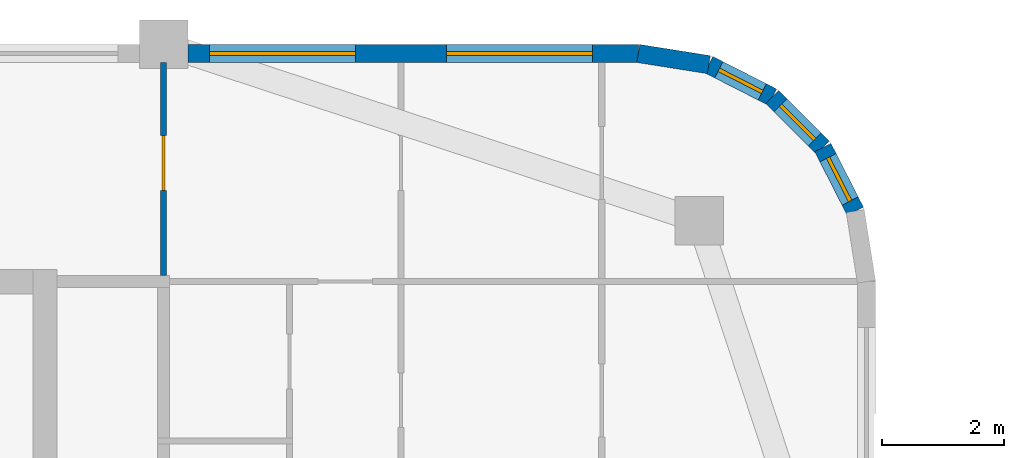
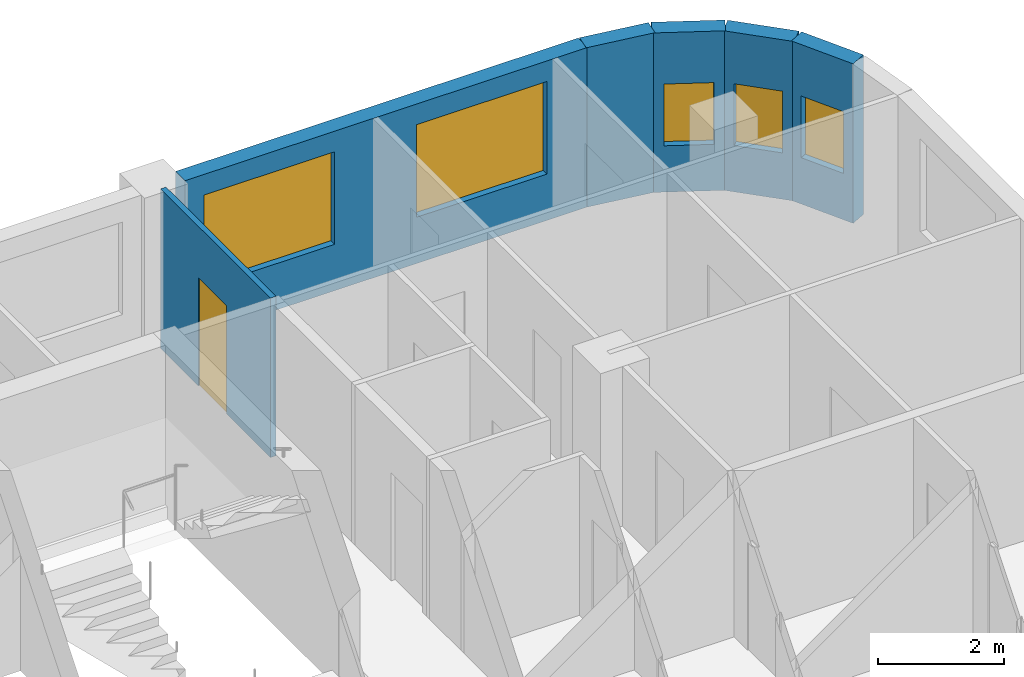
# One storey, part 12 of 16: 6 walls, 5 windows, 1 door, 6 openings.
"""IFC4 building model written with IfcOpenShell, lengths in metres."""

import ifcopenshell
import ifcopenshell.guid

model = None  # the IFC model being written
_history = None  # IfcOwnerHistory: only IFC2X3 demands one
_inside = {}  # id of a spatial element -> (the spatial element, [elements in it])
_under = {}  # id of a project, library or spatial element -> (it, [spatial elements below it])
_declared = {}  # id of a project -> (the project, [libraries it declares])
_typed = {}  # id of a type object -> (the type object, [elements of that type])
_made_of = {}  # id of a material, layer set ... -> (it, [elements and type objects made of it])


def new_model(schema):
    """Start an empty IFC model of exactly this schema.

    Asked for "IFC4X3", IfcOpenShell would pick the latest addendum, in which some entities
    have other attributes; the version numbers below select the first issue.
    IFC2X3 requires an IfcOwnerHistory on every rooted entity: one is made here for all.
    """
    global model, _history
    if schema == "IFC4X3":
        model = ifcopenshell.file(schema_version=(4, 3, 0, 0))
    else:
        model = ifcopenshell.file(schema=schema)
    _inside.clear()
    _under.clear()
    _declared.clear()
    _typed.clear()
    _made_of.clear()
    _history = None
    if model.schema == "IFC2X3":
        org = make("IfcOrganization", Name="unknown")
        user = make(
            "IfcPersonAndOrganization",
            ThePerson=make("IfcPerson", FamilyName="unknown"),
            TheOrganization=org,
        )
        app = make(
            "IfcApplication",
            ApplicationDeveloper=org,
            Version="unknown",
            ApplicationFullName="unknown",
            ApplicationIdentifier="unknown",
        )
        _history = make(
            "IfcOwnerHistory",
            OwningUser=user,
            OwningApplication=app,
            ChangeAction="ADDED",
            CreationDate=0,
        )
    return model


def make(cls, **values):
    """One entity of the class cls with the attributes given. An attribute that is None is left unset."""
    return model.create_entity(
        cls, **{name: value for name, value in values.items() if value is not None}
    )


def rooted(cls, **values):
    """An entity with a GlobalId (a new one), such as an element, a storey or a relation."""
    return make(cls, GlobalId=ifcopenshell.guid.new(), OwnerHistory=_history, **values)


def si_unit(unit_type, name, prefix=None):
    """IfcSIUnit, for example si_unit("LENGTHUNIT", "METRE", prefix="MILLI")."""
    return make("IfcSIUnit", UnitType=unit_type, Prefix=prefix, Name=name)


def assignment(units):
    """IfcUnitAssignment: the units of a project."""
    return None if units is None else make("IfcUnitAssignment", Units=units)


def point(xyz):
    """IfcCartesianPoint."""
    return None if xyz is None else make("IfcCartesianPoint", Coordinates=xyz)


def direction(xyz):
    """IfcDirection."""
    return None if xyz is None else make("IfcDirection", DirectionRatios=xyz)


def frame(location, z_axis=None, x_axis=None):
    """IfcAxis2Placement3D, a coordinate frame: its origin and axes. An axis left out is left unset."""
    return make(
        "IfcAxis2Placement3D",
        Location=point(location),
        Axis=direction(z_axis),
        RefDirection=direction(x_axis),
    )


def frame_2d(location, x_axis=None):
    """IfcAxis2Placement2D, a coordinate frame in the plane: its origin and x axis."""
    return make(
        "IfcAxis2Placement2D", Location=point(location), RefDirection=direction(x_axis)
    )


def origin():
    """The frame at (0, 0, 0) with its axes left unset."""
    return frame((0.0, 0.0, 0.0))


def place(relative_to, where):
    """IfcLocalPlacement: puts the frame where relative to a parent placement (None: the world)."""
    return make(
        "IfcLocalPlacement", PlacementRelTo=relative_to, RelativePlacement=where
    )


def context(
    kind, dimensions, precision=None, world=None, true_north=None, identifier=None
):
    """IfcGeometricRepresentationContext, for example the 3D "Model" context."""
    return make(
        "IfcGeometricRepresentationContext",
        ContextIdentifier=identifier,
        ContextType=kind,
        CoordinateSpaceDimension=dimensions,
        Precision=precision,
        WorldCoordinateSystem=world,
        TrueNorth=true_north,
    )


def subcontext(parent, identifier, kind, view, scale=None):
    """IfcGeometricRepresentationSubContext, for example "Body" below "Model"."""
    return make(
        "IfcGeometricRepresentationSubContext",
        ContextIdentifier=identifier,
        ContextType=kind,
        ParentContext=parent,
        TargetScale=scale,
        TargetView=view,
    )


def project(units=None, contexts=None):
    """IfcProject with its units and contexts."""
    return rooted(
        "IfcProject",
        Name="project",
        RepresentationContexts=contexts,
        UnitsInContext=assignment(units),
    )


def spatial(cls, under=None, at=None, **own):
    """A site, building, storey or space (cls), placed at a placement, below another one or the project."""
    s = rooted(cls, ObjectPlacement=at, **own)
    if under is not None:
        _under.setdefault(under.id(), (under, []))[1].append(s)
    return s


def profile(cls, at=None, kind="AREA", **sizes):
    """A parametric profile (cls). Its sizes go by their IFC names, for example OverallWidth=200.0."""
    return make(cls, ProfileType=kind, Position=at, **sizes)


def rectangle(**sizes):
    """IfcRectangleProfileDef."""
    return profile("IfcRectangleProfileDef", **sizes)


def extrude(swept, where, along, depth):
    """IfcExtrudedAreaSolid: the profile swept, set in the frame where, extruded along a direction by depth."""
    return make(
        "IfcExtrudedAreaSolid",
        SweptArea=swept,
        Position=where,
        ExtrudedDirection=direction(along),
        Depth=depth,
    )


def shape(context_of_items, identifier, shape_type, items):
    """IfcShapeRepresentation: the items that make up one representation, for example the "Body"."""
    return make(
        "IfcShapeRepresentation",
        ContextOfItems=context_of_items,
        RepresentationIdentifier=identifier,
        RepresentationType=shape_type,
        Items=items,
    )


def material(Name=None, Category=None):
    """IfcMaterial."""
    return make("IfcMaterial", Name=Name, Category=Category)


def layer(
    of_material, thickness, ventilated=None, Name=None, Category=None, Priority=None
):
    """IfcMaterialLayer: one layer of a wall or slab, of a material (None: an air gap)."""
    return make(
        "IfcMaterialLayer",
        Material=of_material,
        LayerThickness=thickness,
        IsVentilated=ventilated,
        Name=Name,
        Category=Category,
        Priority=Priority,
    )


def layer_set(layers, Name=None):
    """IfcMaterialLayerSet."""
    return make("IfcMaterialLayerSet", MaterialLayers=layers, LayerSetName=Name)


def made_of(thing, what):
    """Note that an element or type object is made of a material, layer set ...; save() writes the relation."""
    if what is not None:
        _made_of.setdefault(what.id(), (what, []))[1].append(thing)
    return thing


def type_object(cls, material=None, **own):
    """A type object (cls), such as IfcWallType, which elements share."""
    return made_of(rooted(cls, **own), material)


def element(
    cls,
    number,
    at=None,
    inside=None,
    cuts=None,
    type_object=None,
    material=None,
    context=None,
    identifier="Body",
    shape_type=None,
    held_by="IfcProductDefinitionShape",
    body=None,
    shapes=None,
    **own,
):
    """One element of the class cls, such as IfcWall. Its Tag is "e" and its number.

    at: its placement. inside: the storey or other place that contains it. cuts: it is an
    opening in that element (IfcRelVoidsElement). A single representation is given by context,
    identifier, shape_type and body (its items); several are given by shapes. held_by: the class
    of the entity that holds the representations. save() writes the other relations.
    """
    e = rooted(cls, Tag="e%d" % number, ObjectPlacement=at, **own)
    if body is not None:
        shapes = [shape(context, identifier, shape_type, body)]
    if shapes is not None:
        e.Representation = make(held_by, Representations=shapes)
    if inside is not None:
        _inside.setdefault(inside.id(), (inside, []))[1].append(e)
    if cuts is not None:
        rooted(
            "IfcRelVoidsElement", RelatingBuildingElement=cuts, RelatedOpeningElement=e
        )
    if type_object is not None:
        _typed.setdefault(type_object.id(), (type_object, []))[1].append(e)
    return made_of(e, material)


def fill(opening, filler):
    """IfcRelFillsElement: the door or window that sits in an opening."""
    return rooted(
        "IfcRelFillsElement",
        RelatingOpeningElement=opening,
        RelatedBuildingElement=filler,
    )


def aggregate(whole, parts):
    """IfcRelAggregates: a whole, such as a stair, and the parts it consists of."""
    return rooted("IfcRelAggregates", RelatingObject=whole, RelatedObjects=parts)


def save(model, path):
    """Write the relations noted so far, then the file.

    IfcRelAggregates (storeys below a building ...), IfcRelContainedInSpatialStructure (elements
    in a storey), IfcRelDefinesByType, IfcRelAssociatesMaterial and IfcRelDeclares: one each for
    every whole, place, type object, material and project.
    """
    for whole, parts in _under.values():
        aggregate(whole, parts)
    for where, things in _inside.values():
        rooted(
            "IfcRelContainedInSpatialStructure",
            RelatedElements=things,
            RelatingStructure=where,
        )
    for kind, things in _typed.values():
        rooted("IfcRelDefinesByType", RelatedObjects=things, RelatingType=kind)
    for what, things in _made_of.values():
        rooted("IfcRelAssociatesMaterial", RelatedObjects=things, RelatingMaterial=what)
    for by, libraries in _declared.values():
        rooted("IfcRelDeclares", RelatingContext=by, RelatedDefinitions=libraries)
    model.write(path)


model = new_model("IFC4")

# Units and contexts
model_context = context("Model", 3, precision=1e-05, world=origin(), true_north=direction((0.0, 1.0)))
body_context = subcontext(model_context, "Body", "Model", "MODEL_VIEW")
ifc_project = project(units=[si_unit("LENGTHUNIT", "METRE"), si_unit("AREAUNIT", "SQUARE_METRE"), si_unit("VOLUMEUNIT", "CUBIC_METRE"), si_unit("PLANEANGLEUNIT", "RADIAN"), si_unit("MASSUNIT", "GRAM", prefix="KILO")], contexts=[model_context])

# Site, building, storey
site_placement = place(None, origin())
site = spatial("IfcSite", under=ifc_project, at=site_placement, CompositionType="ELEMENT")
building_placement = place(site_placement, origin())
building = spatial("IfcBuilding", under=site, at=building_placement, Name="Ludao Terraces", CompositionType="ELEMENT")
storey_placement = place(building_placement, frame((0.0, 0.0, 238.10009765625)))
storey = spatial("IfcBuildingStorey", under=building, at=storey_placement, Name="L65", CompositionType="ELEMENT", Elevation=238.10009765625)

# Wall, openings, windows
ifc_material_1 = material(Name="Granite cladding", Category="masonry")
ifc_layer_1 = layer(ifc_material_1, 0.0400390625, Category="stone")
ifc_material_2 = material(Name="Mineral wool")
ifc_layer_2 = layer(ifc_material_2, 0.06005859375)
ifc_material_3 = material(Name="Concrete C40", Category="concrete")
ifc_layer_3 = layer(ifc_material_3, 0.199951171875, Category="concrete")
ifc_layer_set_1 = layer_set([ifc_layer_1, ifc_layer_2, ifc_layer_3], Name="ENV Stone-clad wall 300")
wall_type_1 = type_object("IfcWallType", Name="ENV Stone-clad wall 300", PredefinedType="SOLIDWALL", material=ifc_layer_set_1)
wall_1_placement = place(storey_placement, frame((97.10009765625, 88.25, 0.0), z_axis=(0.0, 0.0, 1.0), x_axis=(1.0, 0.0, 0.0)))
wall_1 = element("IfcWall", 1, at=wall_1_placement, inside=storey, type_object=wall_type_1, Name="EW-L65-N3", PredefinedType="SOLIDWALL", context=body_context, shape_type="SweptSolid", body=[
    extrude(rectangle(XDim=7.39990234375, YDim=0.300048828125, at=frame_2d((3.699951171875, 0.0))), origin(), (0.0, 0.0, 1.0), 3.099853515625),
])
opening_1_placement = place(wall_1_placement, frame((0.35009765625, 0.0, 0.89990234375)))
opening_1 = element("IfcOpeningElement", 2, at=opening_1_placement, cuts=wall_1, Name="Opening W1", PredefinedType="OPENING", context=body_context, shape_type="SweptSolid", body=[
    extrude(rectangle(XDim=2.39990234375, YDim=1.800048828125, at=frame_2d((1.199951171875, 0.89990234375))), frame((0.0, 0.16015625, 0.0), z_axis=(0.0, -1.0, 0.0), x_axis=(1.0, 0.0, 0.0)), (0.0, 0.0, 1.0), 0.320068359375),
])
opening_2_placement = place(wall_1_placement, frame((4.25, 0.0, 0.89990234375)))
opening_2 = element("IfcOpeningElement", 3, at=opening_2_placement, cuts=wall_1, Name="Opening W1", PredefinedType="OPENING", context=body_context, shape_type="SweptSolid", body=[
    extrude(rectangle(XDim=2.39990234375, YDim=1.800048828125, at=frame_2d((1.199951171875, 0.89990234375))), frame((0.0, 0.16015625, 0.0), z_axis=(0.0, -1.0, 0.0), x_axis=(1.0, 0.0, 0.0)), (0.0, 0.0, 1.0), 0.320068359375),
])
ifc_material_4 = material(Name="Clear glass in aluminium frame", Category="aluminium")
ifc_layer_4 = layer(ifc_material_4, 0.06005859375)
ifc_layer_set_2 = layer_set([ifc_layer_4], Name="ENV Window W1 2400x1800")
window_type_1 = type_object("IfcWindowType", Name="ENV Window W1 2400x1800", PartitioningType="DOUBLE_PANEL_VERTICAL", PredefinedType="WINDOW", material=ifc_layer_set_2)
window_1_placement = place(opening_1_placement, origin())
window_1 = element("IfcWindow", 4, at=window_1_placement, inside=storey, type_object=window_type_1, Name="W-L65-N3-1", OverallHeight=1.800048828125, OverallWidth=2.39990234375, PartitioningType="DOUBLE_PANEL_VERTICAL", PredefinedType="WINDOW", context=body_context, shape_type="SweptSolid", body=[
    extrude(rectangle(XDim=2.39990234375, YDim=1.800048828125, at=frame_2d((1.199951171875, 0.89990234375))), frame((0.0, 0.030029296875, 0.0), z_axis=(0.0, -1.0, 0.0), x_axis=(1.0, 0.0, 0.0)), (0.0, 0.0, 1.0), 0.06005859375),
])
fill(opening_1, window_1)
window_2_placement = place(opening_2_placement, origin())
window_2 = element("IfcWindow", 5, at=window_2_placement, inside=storey, type_object=window_type_1, Name="W-L65-N3-2", OverallHeight=1.800048828125, OverallWidth=2.39990234375, PartitioningType="DOUBLE_PANEL_VERTICAL", PredefinedType="WINDOW", context=body_context, shape_type="SweptSolid", body=[
    extrude(rectangle(XDim=2.39990234375, YDim=1.800048828125, at=frame_2d((1.199951171875, 0.89990234375))), frame((0.0, 0.030029296875, 0.0), z_axis=(0.0, -1.0, 0.0), x_axis=(1.0, 0.0, 0.0)), (0.0, 0.0, 1.0), 0.06005859375),
])
fill(opening_2, window_2)

# Wall, opening, window
wall_2_placement = place(storey_placement, frame((108.06640625, 85.65869140625, 0.0), z_axis=(0.0, 0.0, 1.0), x_axis=(-0.454025524128, 0.890988677504, 0.0)))
wall_2 = element("IfcWall", 6, at=wall_2_placement, inside=storey, type_object=wall_type_1, Name="EW-L65-NE2", PredefinedType="SOLIDWALL", context=body_context, shape_type="SweptSolid", body=[
    extrude(rectangle(XDim=1.17333984375, YDim=0.300048828125, at=frame_2d((0.586669921875, 0.0))), origin(), (0.0, 0.0, 1.0), 3.099853515625),
])
opening_3_placement = place(wall_2_placement, frame((0.1865234375, 0.0, 0.89990234375)))
opening_3 = element("IfcOpeningElement", 7, at=opening_3_placement, cuts=wall_2, Name="Opening W3", PredefinedType="OPENING", context=body_context, shape_type="SweptSolid", body=[
    extrude(rectangle(XDim=0.800048828125, YDim=1.199951171875, at=frame_2d((0.39990234375, 0.60009765625))), frame((0.0, 0.16015625, 0.0), z_axis=(0.0, -1.0, 0.0), x_axis=(1.0, 0.0, 0.0)), (0.0, 0.0, 1.0), 0.320068359375),
])
ifc_layer_5 = layer(ifc_material_4, 0.06005859375)
ifc_layer_set_3 = layer_set([ifc_layer_5], Name="ENV Window W3 800x1200")
window_type_2 = type_object("IfcWindowType", Name="ENV Window W3 800x1200", PartitioningType="SINGLE_PANEL", PredefinedType="WINDOW", material=ifc_layer_set_3)
window_3_placement = place(opening_3_placement, origin())
window_3 = element("IfcWindow", 8, at=window_3_placement, inside=storey, type_object=window_type_2, Name="W-L65-NE2", OverallHeight=1.199951171875, OverallWidth=0.800048828125, PartitioningType="SINGLE_PANEL", PredefinedType="WINDOW", context=body_context, shape_type="SweptSolid", body=[
    extrude(rectangle(XDim=0.800048828125, YDim=1.199951171875, at=frame_2d((0.39990234375, 0.60009765625))), frame((0.0, 0.030029296875, 0.0), z_axis=(0.0, -1.0, 0.0), x_axis=(1.0, 0.0, 0.0)), (0.0, 0.0, 1.0), 0.06005859375),
])
fill(opening_3, window_3)

wall_3_placement = place(storey_placement, frame((107.53369140625, 86.7041015625, 0.0), z_axis=(0.0, 0.0, 1.0), x_axis=(-0.707106781187, 0.707106781187, 0.0)))
wall_3 = element("IfcWall", 9, at=wall_3_placement, inside=storey, type_object=wall_type_1, Name="EW-L65-NE3", PredefinedType="SOLIDWALL", context=body_context, shape_type="SweptSolid", body=[
    extrude(rectangle(XDim=1.173095703125, YDim=0.300048828125, at=frame_2d((0.58642578125, 0.0))), origin(), (0.0, 0.0, 1.0), 3.099853515625),
])
opening_4_placement = place(wall_3_placement, frame((0.1865234375, 0.0, 0.89990234375)))
opening_4 = element("IfcOpeningElement", 10, at=opening_4_placement, cuts=wall_3, Name="Opening W3", PredefinedType="OPENING", context=body_context, shape_type="SweptSolid", body=[
    extrude(rectangle(XDim=0.800048828125, YDim=1.199951171875, at=frame_2d((0.39990234375, 0.60009765625))), frame((0.0, 0.16015625, 0.0), z_axis=(0.0, -1.0, 0.0), x_axis=(1.0, 0.0, 0.0)), (0.0, 0.0, 1.0), 0.320068359375),
])
window_4_placement = place(opening_4_placement, origin())
window_4 = element("IfcWindow", 11, at=window_4_placement, inside=storey, type_object=window_type_2, Name="W-L65-NE3", OverallHeight=1.199951171875, OverallWidth=0.800048828125, PartitioningType="SINGLE_PANEL", PredefinedType="WINDOW", context=body_context, shape_type="SweptSolid", body=[
    extrude(rectangle(XDim=0.800048828125, YDim=1.199951171875, at=frame_2d((0.39990234375, 0.60009765625))), frame((0.0, 0.030029296875, 0.0), z_axis=(0.0, -1.0, 0.0), x_axis=(1.0, 0.0, 0.0)), (0.0, 0.0, 1.0), 0.06005859375),
])
fill(opening_4, window_4)

wall_4_placement = place(storey_placement, frame((106.7041015625, 87.53369140625, 0.0), z_axis=(0.0, 0.0, 1.0), x_axis=(-0.890988677504, 0.454025524128, 0.0)))
wall_4 = element("IfcWall", 12, at=wall_4_placement, inside=storey, type_object=wall_type_1, Name="EW-L65-NE4", PredefinedType="SOLIDWALL", context=body_context, shape_type="SweptSolid", body=[
    extrude(rectangle(XDim=1.17333984375, YDim=0.300048828125, at=frame_2d((0.586669921875, 0.0))), origin(), (0.0, 0.0, 1.0), 3.099853515625),
])
opening_5_placement = place(wall_4_placement, frame((0.1865234375, 0.0, 0.89990234375)))
opening_5 = element("IfcOpeningElement", 13, at=opening_5_placement, cuts=wall_4, Name="Opening W3", PredefinedType="OPENING", context=body_context, shape_type="SweptSolid", body=[
    extrude(rectangle(XDim=0.800048828125, YDim=1.199951171875, at=frame_2d((0.39990234375, 0.60009765625))), frame((0.0, 0.16015625, 0.0), z_axis=(0.0, -1.0, 0.0), x_axis=(1.0, 0.0, 0.0)), (0.0, 0.0, 1.0), 0.320068359375),
])
window_5_placement = place(opening_5_placement, origin())
window_5 = element("IfcWindow", 14, at=window_5_placement, inside=storey, type_object=window_type_2, Name="W-L65-NE4", OverallHeight=1.199951171875, OverallWidth=0.800048828125, PartitioningType="SINGLE_PANEL", PredefinedType="WINDOW", context=body_context, shape_type="SweptSolid", body=[
    extrude(rectangle(XDim=0.800048828125, YDim=1.199951171875, at=frame_2d((0.39990234375, 0.60009765625))), frame((0.0, 0.030029296875, 0.0), z_axis=(0.0, -1.0, 0.0), x_axis=(1.0, 0.0, 0.0)), (0.0, 0.0, 1.0), 0.06005859375),
])
fill(opening_5, window_5)

# Wall
wall_5_placement = place(storey_placement, frame((105.65869140625, 88.06640625, 0.0), z_axis=(0.0, 0.0, 1.0), x_axis=(-0.987678452879, 0.156496880861, 0.0)))
element("IfcWall", 15, at=wall_5_placement, inside=storey, type_object=wall_type_1, Name="EW-L65-NE5", PredefinedType="SOLIDWALL", context=body_context, shape_type="SweptSolid", body=[
    extrude(rectangle(XDim=1.173095703125, YDim=0.300048828125, at=frame_2d((0.58642578125, 0.0))), origin(), (0.0, 0.0, 1.0), 3.099853515625),
])

# Wall, opening, door
ifc_material_5 = material(Name="Gypsum plasterboard", Category="gypsum")
ifc_layer_6 = layer(ifc_material_5, 0.012451171875, Category="gypsum")
ifc_layer_7 = layer(ifc_material_2, 0.06005859375, Name="insulation")
ifc_material_6 = material(Name="Steel Q235", Category="steel")
ifc_layer_8 = layer(ifc_material_6, 0.014892578125, Name="stud")
ifc_layer_9 = layer(ifc_material_5, 0.012451171875, Category="gypsum")
ifc_layer_set_4 = layer_set([ifc_layer_6, ifc_layer_7, ifc_layer_8, ifc_layer_9], Name="INT Partition 100")
wall_type_2 = type_object("IfcWallType", Name="INT Partition 100", PredefinedType="PARTITIONING", material=ifc_layer_set_4)
wall_6_placement = place(storey_placement, frame((96.699951171875, 84.60009765625, 0.0), z_axis=(0.0, 0.0, 1.0), x_axis=(0.0, 1.0, 0.0)))
wall_6 = element("IfcWall", 16, at=wall_6_placement, inside=storey, type_object=wall_type_2, Name="PW-L65-PW094", PredefinedType="PARTITIONING", context=body_context, shape_type="SweptSolid", body=[
    extrude(rectangle(XDim=3.5, YDim=0.10009765625, at=frame_2d((1.75, 0.0))), origin(), (0.0, 0.0, 1.0), 3.099853515625),
])
opening_6_placement = place(wall_6_placement, frame((1.39990234375, 0.0, 0.0)))
opening_6 = element("IfcOpeningElement", 17, at=opening_6_placement, cuts=wall_6, Name="Opening R23-142", PredefinedType="OPENING", context=body_context, shape_type="SweptSolid", body=[
    extrude(rectangle(XDim=0.89990234375, YDim=2.10009765625, at=frame_2d((0.449951171875, 1.050048828125))), frame((0.0, 0.06005859375, 0.0), z_axis=(0.0, -1.0, 0.0), x_axis=(1.0, 0.0, 0.0)), (0.0, 0.0, 1.0), 0.1201171875),
])
ifc_material_7 = material(Name="Timber door leaf", Category="wood")
door_type = type_object("IfcDoorType", Name="INT Room door 900", OperationType="SINGLE_SWING_LEFT", PredefinedType="DOOR", material=ifc_material_7)
door_placement = place(opening_6_placement, origin())
door = element("IfcDoor", 18, at=door_placement, inside=storey, type_object=door_type, Name="DOOR 142", OperationType="SINGLE_SWING_RIGHT", OverallHeight=2.10009765625, OverallWidth=0.89990234375, PredefinedType="DOOR", context=body_context, shape_type="SweptSolid", body=[
    extrude(rectangle(XDim=0.89990234375, YDim=2.10009765625, at=frame_2d((0.449951171875, 1.050048828125))), frame((0.0, 0.02490234375, 0.0), z_axis=(0.0, -1.0, 0.0), x_axis=(1.0, 0.0, 0.0)), (0.0, 0.0, 1.0), 0.050048828125),
])
fill(opening_6, door)

save(model, "model.ifc")
